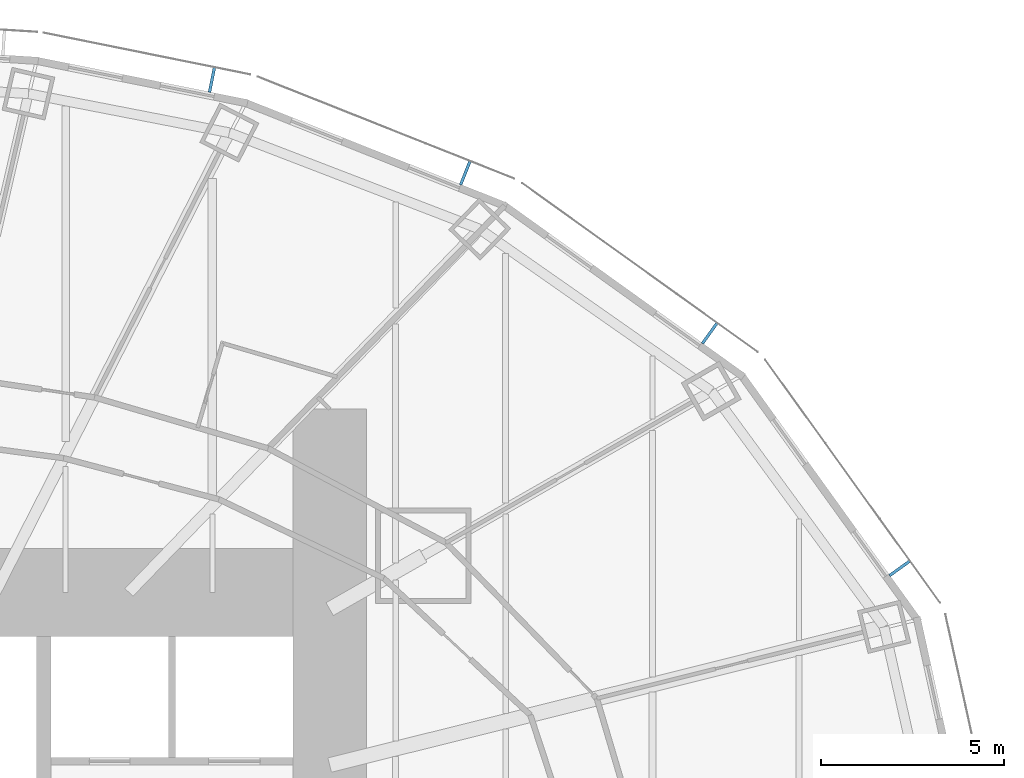
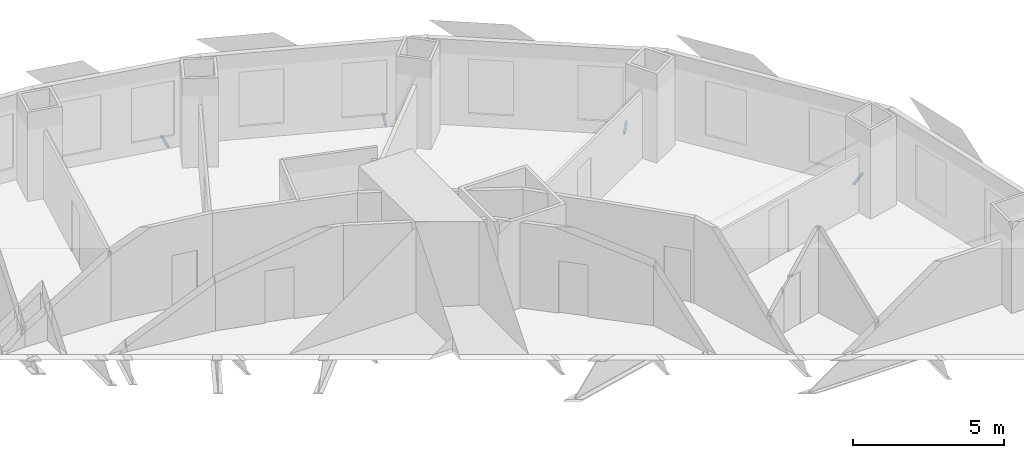
# One storey, part 12 of 15: 4 discrete accessories.
"""IFC4 building model written with IfcOpenShell, lengths in metres."""

from ifc_helpers import new_model, si_unit, direction, frame, origin, origin_2d, place, context, subcontext, project, spatial, rectangle, extrude, element, save


model = new_model("IFC4")

# Units and contexts
model_context = context("Model", 3, precision=1e-05, world=origin(), true_north=direction((0.0, 1.0)))
body_context = subcontext(model_context, "Body", "Model", "MODEL_VIEW")
ifc_project = project(units=[si_unit("LENGTHUNIT", "METRE"), si_unit("AREAUNIT", "SQUARE_METRE"), si_unit("VOLUMEUNIT", "CUBIC_METRE"), si_unit("PLANEANGLEUNIT", "RADIAN"), si_unit("MASSUNIT", "GRAM", prefix="KILO")], contexts=[model_context])

# Site, building, storey
site_placement = place(None, origin())
site = spatial("IfcSite", under=ifc_project, at=site_placement, CompositionType="ELEMENT")
building_placement = place(site_placement, origin())
building = spatial("IfcBuilding", under=site, at=building_placement, Name="Lantaw Convention Tower", CompositionType="ELEMENT")
storey_placement = place(building_placement, frame((0.0, 0.0, 73.0)))
storey = spatial("IfcBuildingStorey", under=building, at=storey_placement, Name="L16", CompositionType="ELEMENT", Elevation=73.0)

# Discrete accessories
for number, where, z_axis, x_axis, name in (
    (1, (28.745849609375, 8.65869140625, -0.114990234375), (0.0, 0.0, 1.0), (-0.583951250436, 0.811788726895, 0.0), "Screen bracket"),
    (2, (23.564453125, 15.06640625, -0.114990234375), (0.0, 0.0, 1.0), (-0.812803733199, 0.5825376308, 0.0), "Screen bracket"),
    (3, (16.898193359375, 19.4345703125, -0.114990234375), (0.0, 0.0, 1.0), (-0.929361152748, 0.369171840425, 0.0), "Screen bracket"),
    (4, (9.990478515625, 21.974365234375, -0.114990234375), (0.0, 0.0, 1.0), (-0.980244604501, 0.197789067813, 0.0), "Screen bracket"),
):
    element("IfcDiscreteAccessory", number, at=place(storey_placement, frame(where, z_axis=z_axis, x_axis=x_axis)), inside=storey, Name=name, PredefinedType="BRACKET", context=body_context, shape_type="SweptSolid", body=[
        extrude(rectangle(XDim=0.080078125, YDim=0.68798828125, at=origin_2d()), origin(), (0.0, 0.0, 1.0), 0.080078125),
    ])

save(model, "model.ifc")
